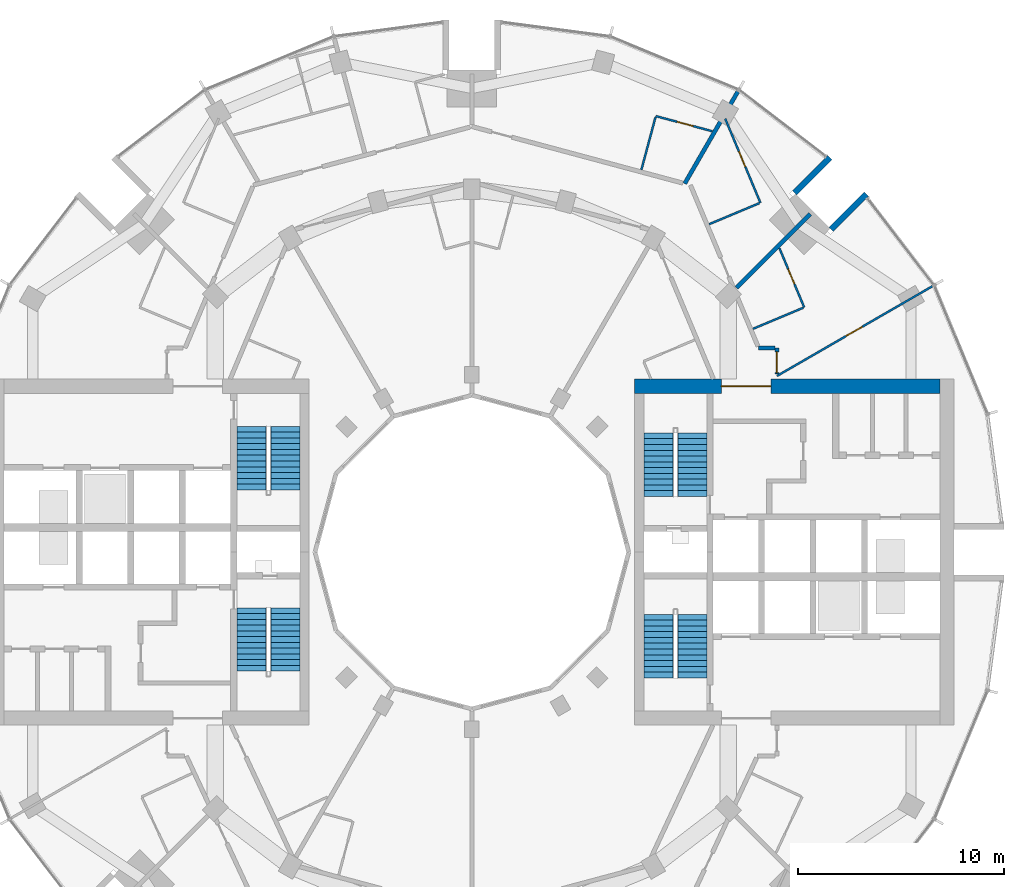
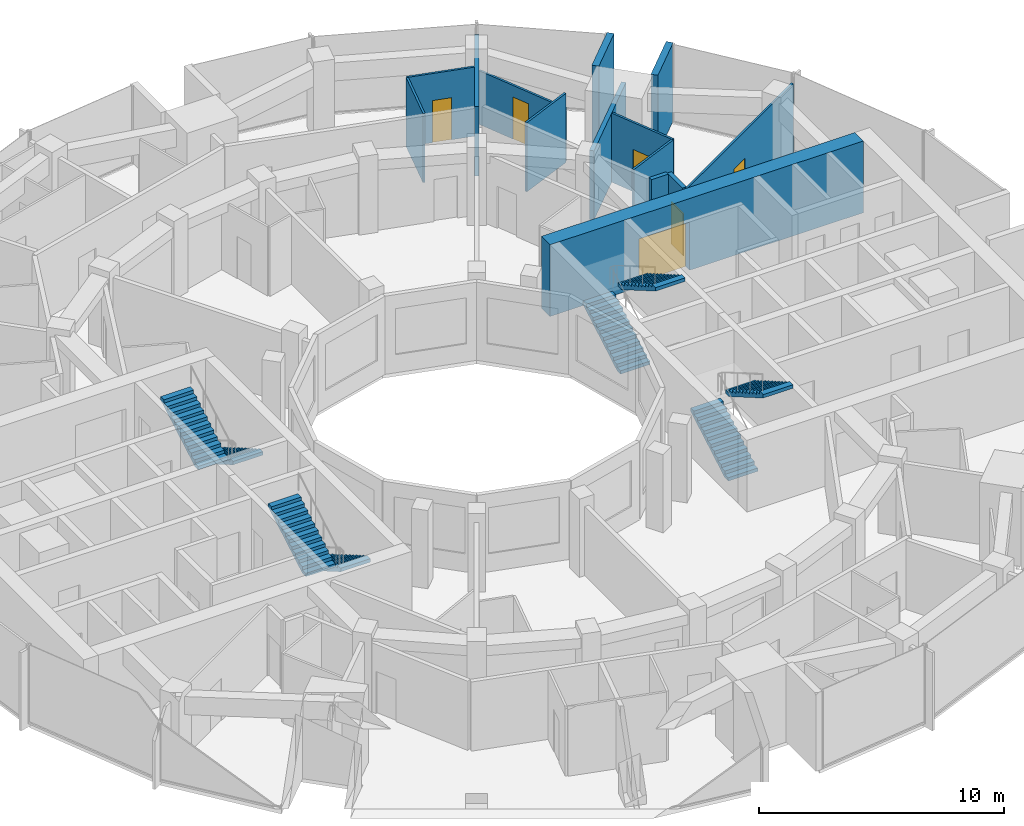
# One storey, part 13 of 15: 14 walls, 8 stair flights, 6 doors, 6 openings, 4 elements without a shape of their own.
"""IFC4 building model written with IfcOpenShell, lengths in metres."""

import ifcopenshell
import ifcopenshell.guid

model = None  # the IFC model being written
_history = None  # IfcOwnerHistory: only IFC2X3 demands one
_inside = {}  # id of a spatial element -> (the spatial element, [elements in it])
_under = {}  # id of a project, library or spatial element -> (it, [spatial elements below it])
_declared = {}  # id of a project -> (the project, [libraries it declares])
_typed = {}  # id of a type object -> (the type object, [elements of that type])
_made_of = {}  # id of a material, layer set ... -> (it, [elements and type objects made of it])


def new_model(schema):
    """Start an empty IFC model of exactly this schema.

    Asked for "IFC4X3", IfcOpenShell would pick the latest addendum, in which some entities
    have other attributes; the version numbers below select the first issue.
    IFC2X3 requires an IfcOwnerHistory on every rooted entity: one is made here for all.
    """
    global model, _history
    if schema == "IFC4X3":
        model = ifcopenshell.file(schema_version=(4, 3, 0, 0))
    else:
        model = ifcopenshell.file(schema=schema)
    _inside.clear()
    _under.clear()
    _declared.clear()
    _typed.clear()
    _made_of.clear()
    _history = None
    if model.schema == "IFC2X3":
        org = make("IfcOrganization", Name="unknown")
        user = make(
            "IfcPersonAndOrganization",
            ThePerson=make("IfcPerson", FamilyName="unknown"),
            TheOrganization=org,
        )
        app = make(
            "IfcApplication",
            ApplicationDeveloper=org,
            Version="unknown",
            ApplicationFullName="unknown",
            ApplicationIdentifier="unknown",
        )
        _history = make(
            "IfcOwnerHistory",
            OwningUser=user,
            OwningApplication=app,
            ChangeAction="ADDED",
            CreationDate=0,
        )
    return model


def make(cls, **values):
    """One entity of the class cls with the attributes given. An attribute that is None is left unset."""
    return model.create_entity(
        cls, **{name: value for name, value in values.items() if value is not None}
    )


def rooted(cls, **values):
    """An entity with a GlobalId (a new one), such as an element, a storey or a relation."""
    return make(cls, GlobalId=ifcopenshell.guid.new(), OwnerHistory=_history, **values)


def si_unit(unit_type, name, prefix=None):
    """IfcSIUnit, for example si_unit("LENGTHUNIT", "METRE", prefix="MILLI")."""
    return make("IfcSIUnit", UnitType=unit_type, Prefix=prefix, Name=name)


def assignment(units):
    """IfcUnitAssignment: the units of a project."""
    return None if units is None else make("IfcUnitAssignment", Units=units)


def point(xyz):
    """IfcCartesianPoint."""
    return None if xyz is None else make("IfcCartesianPoint", Coordinates=xyz)


def direction(xyz):
    """IfcDirection."""
    return None if xyz is None else make("IfcDirection", DirectionRatios=xyz)


def frame(location, z_axis=None, x_axis=None):
    """IfcAxis2Placement3D, a coordinate frame: its origin and axes. An axis left out is left unset."""
    return make(
        "IfcAxis2Placement3D",
        Location=point(location),
        Axis=direction(z_axis),
        RefDirection=direction(x_axis),
    )


def frame_2d(location, x_axis=None):
    """IfcAxis2Placement2D, a coordinate frame in the plane: its origin and x axis."""
    return make(
        "IfcAxis2Placement2D", Location=point(location), RefDirection=direction(x_axis)
    )


def origin():
    """The frame at (0, 0, 0) with its axes left unset."""
    return frame((0.0, 0.0, 0.0))


def place(relative_to, where):
    """IfcLocalPlacement: puts the frame where relative to a parent placement (None: the world)."""
    return make(
        "IfcLocalPlacement", PlacementRelTo=relative_to, RelativePlacement=where
    )


def context(
    kind, dimensions, precision=None, world=None, true_north=None, identifier=None
):
    """IfcGeometricRepresentationContext, for example the 3D "Model" context."""
    return make(
        "IfcGeometricRepresentationContext",
        ContextIdentifier=identifier,
        ContextType=kind,
        CoordinateSpaceDimension=dimensions,
        Precision=precision,
        WorldCoordinateSystem=world,
        TrueNorth=true_north,
    )


def subcontext(parent, identifier, kind, view, scale=None):
    """IfcGeometricRepresentationSubContext, for example "Body" below "Model"."""
    return make(
        "IfcGeometricRepresentationSubContext",
        ContextIdentifier=identifier,
        ContextType=kind,
        ParentContext=parent,
        TargetScale=scale,
        TargetView=view,
    )


def project(units=None, contexts=None):
    """IfcProject with its units and contexts."""
    return rooted(
        "IfcProject",
        Name="project",
        RepresentationContexts=contexts,
        UnitsInContext=assignment(units),
    )


def spatial(cls, under=None, at=None, **own):
    """A site, building, storey or space (cls), placed at a placement, below another one or the project."""
    s = rooted(cls, ObjectPlacement=at, **own)
    if under is not None:
        _under.setdefault(under.id(), (under, []))[1].append(s)
    return s


def polyline(points):
    """IfcPolyline through the points."""
    return make("IfcPolyline", Points=[point(p) for p in points])


def profile(cls, at=None, kind="AREA", **sizes):
    """A parametric profile (cls). Its sizes go by their IFC names, for example OverallWidth=200.0."""
    return make(cls, ProfileType=kind, Position=at, **sizes)


def rectangle(**sizes):
    """IfcRectangleProfileDef."""
    return profile("IfcRectangleProfileDef", **sizes)


def outline(outer, holes=None, kind="AREA"):
    """IfcArbitraryClosedProfileDef: a profile drawn as a closed curve; with holes, ...WithVoids."""
    if holes is None:
        return make("IfcArbitraryClosedProfileDef", ProfileType=kind, OuterCurve=outer)
    return make(
        "IfcArbitraryProfileDefWithVoids",
        ProfileType=kind,
        OuterCurve=outer,
        InnerCurves=holes,
    )


def extrude(swept, where, along, depth):
    """IfcExtrudedAreaSolid: the profile swept, set in the frame where, extruded along a direction by depth."""
    return make(
        "IfcExtrudedAreaSolid",
        SweptArea=swept,
        Position=where,
        ExtrudedDirection=direction(along),
        Depth=depth,
    )


def shape(context_of_items, identifier, shape_type, items):
    """IfcShapeRepresentation: the items that make up one representation, for example the "Body"."""
    return make(
        "IfcShapeRepresentation",
        ContextOfItems=context_of_items,
        RepresentationIdentifier=identifier,
        RepresentationType=shape_type,
        Items=items,
    )


def material(Name=None, Category=None):
    """IfcMaterial."""
    return make("IfcMaterial", Name=Name, Category=Category)


def layer(
    of_material, thickness, ventilated=None, Name=None, Category=None, Priority=None
):
    """IfcMaterialLayer: one layer of a wall or slab, of a material (None: an air gap)."""
    return make(
        "IfcMaterialLayer",
        Material=of_material,
        LayerThickness=thickness,
        IsVentilated=ventilated,
        Name=Name,
        Category=Category,
        Priority=Priority,
    )


def layer_set(layers, Name=None):
    """IfcMaterialLayerSet."""
    return make("IfcMaterialLayerSet", MaterialLayers=layers, LayerSetName=Name)


def made_of(thing, what):
    """Note that an element or type object is made of a material, layer set ...; save() writes the relation."""
    if what is not None:
        _made_of.setdefault(what.id(), (what, []))[1].append(thing)
    return thing


def type_object(cls, material=None, **own):
    """A type object (cls), such as IfcWallType, which elements share."""
    return made_of(rooted(cls, **own), material)


def element(
    cls,
    number,
    at=None,
    inside=None,
    cuts=None,
    type_object=None,
    material=None,
    context=None,
    identifier="Body",
    shape_type=None,
    held_by="IfcProductDefinitionShape",
    body=None,
    shapes=None,
    **own,
):
    """One element of the class cls, such as IfcWall. Its Tag is "e" and its number.

    at: its placement. inside: the storey or other place that contains it. cuts: it is an
    opening in that element (IfcRelVoidsElement). A single representation is given by context,
    identifier, shape_type and body (its items); several are given by shapes. held_by: the class
    of the entity that holds the representations. save() writes the other relations.
    """
    e = rooted(cls, Tag="e%d" % number, ObjectPlacement=at, **own)
    if body is not None:
        shapes = [shape(context, identifier, shape_type, body)]
    if shapes is not None:
        e.Representation = make(held_by, Representations=shapes)
    if inside is not None:
        _inside.setdefault(inside.id(), (inside, []))[1].append(e)
    if cuts is not None:
        rooted(
            "IfcRelVoidsElement", RelatingBuildingElement=cuts, RelatedOpeningElement=e
        )
    if type_object is not None:
        _typed.setdefault(type_object.id(), (type_object, []))[1].append(e)
    return made_of(e, material)


def fill(opening, filler):
    """IfcRelFillsElement: the door or window that sits in an opening."""
    return rooted(
        "IfcRelFillsElement",
        RelatingOpeningElement=opening,
        RelatedBuildingElement=filler,
    )


def aggregate(whole, parts):
    """IfcRelAggregates: a whole, such as a stair, and the parts it consists of."""
    return rooted("IfcRelAggregates", RelatingObject=whole, RelatedObjects=parts)


def save(model, path):
    """Write the relations noted so far, then the file.

    IfcRelAggregates (storeys below a building ...), IfcRelContainedInSpatialStructure (elements
    in a storey), IfcRelDefinesByType, IfcRelAssociatesMaterial and IfcRelDeclares: one each for
    every whole, place, type object, material and project.
    """
    for whole, parts in _under.values():
        aggregate(whole, parts)
    for where, things in _inside.values():
        rooted(
            "IfcRelContainedInSpatialStructure",
            RelatedElements=things,
            RelatingStructure=where,
        )
    for kind, things in _typed.values():
        rooted("IfcRelDefinesByType", RelatedObjects=things, RelatingType=kind)
    for what, things in _made_of.values():
        rooted("IfcRelAssociatesMaterial", RelatedObjects=things, RelatingMaterial=what)
    for by, libraries in _declared.values():
        rooted("IfcRelDeclares", RelatingContext=by, RelatedDefinitions=libraries)
    model.write(path)


model = new_model("IFC4")

# Units and contexts
model_context = context("Model", 3, precision=1e-05, world=origin(), true_north=direction((0.0, 1.0)))
body_context = subcontext(model_context, "Body", "Model", "MODEL_VIEW")
ifc_project = project(units=[si_unit("LENGTHUNIT", "METRE"), si_unit("AREAUNIT", "SQUARE_METRE"), si_unit("VOLUMEUNIT", "CUBIC_METRE"), si_unit("PLANEANGLEUNIT", "RADIAN"), si_unit("MASSUNIT", "GRAM", prefix="KILO")], contexts=[model_context])

# Site, building, storey
site_placement = place(None, origin())
site = spatial("IfcSite", under=ifc_project, at=site_placement, CompositionType="ELEMENT")
building_placement = place(site_placement, origin())
building = spatial("IfcBuilding", under=site, at=building_placement, Name="Torre Brocal", CompositionType="ELEMENT")
storey_placement = place(building_placement, frame((0.0, 0.0, 130.199951171875)))
storey = spatial("IfcBuildingStorey", under=building, at=storey_placement, Name="L30", CompositionType="ELEMENT", Elevation=130.199951171875)

# Wall, opening, door
ifc_material_1 = material(Name="Concrete C70", Category="concrete")
ifc_layer_1 = layer(ifc_material_1, 0.699951171875)
ifc_layer_set_1 = layer_set([ifc_layer_1], Name="Concrete C70")
wall_type_1 = type_object("IfcWallType", Name="CORE WALL 700 C70", PredefinedType="SHEAR", material=ifc_layer_set_1)
wall_1_placement = place(storey_placement, frame((87.89990234375, 83.050048828125, 0.0), z_axis=(0.0, 0.0, 1.0), x_axis=(1.0, 0.0, 0.0)))
wall_1 = element("IfcWall", 1, at=wall_1_placement, inside=storey, type_object=wall_type_1, Name="Wall CW700-70", PredefinedType="SHEAR", context=body_context, shape_type="SweptSolid", body=[
    extrude(rectangle(XDim=14.800048828125, YDim=0.699951171875, at=frame_2d((7.39990234375, 0.0))), origin(), (0.0, 0.0, 1.0), 3.580078125),
])
opening_1_placement = place(wall_1_placement, frame((4.199951171875, 0.0, 0.0)))
opening_1 = element("IfcOpeningElement", 2, at=opening_1_placement, cuts=wall_1, Name="Opening E-D27", PredefinedType="OPENING", context=body_context, shape_type="SweptSolid", body=[
    extrude(rectangle(XDim=2.39990234375, YDim=2.39990234375, at=frame_2d((1.199951171875, 1.199951171875))), frame((0.0, 0.35986328125, 0.0), z_axis=(0.0, -1.0, 0.0), x_axis=(1.0, 0.0, 0.0)), (0.0, 0.0, 1.0), 0.719970703125),
])
ifc_material_2 = material(Name="Steel A653", Category="steel")
door_type_1 = type_object("IfcDoorType", Name="DOUBLE FIRE DOOR FD90 2400X2400", OperationType="DOUBLE_DOOR_SINGLE_SWING", PredefinedType="DOOR", material=ifc_material_2)
door_1_placement = place(opening_1_placement, frame((2.39990234375, 0.0, 0.0), z_axis=(0.0, 0.0, 1.0), x_axis=(-1.0, 0.0, 0.0)))
door_1 = element("IfcDoor", 3, at=door_1_placement, inside=storey, type_object=door_type_1, Name="Door E-D27", OperationType="DOUBLE_DOOR_SINGLE_SWING", OverallHeight=2.39990234375, OverallWidth=2.39990234375, PredefinedType="DOOR", context=body_context, shape_type="SweptSolid", body=[
    extrude(rectangle(XDim=2.39990234375, YDim=2.39990234375, at=frame_2d((1.199951171875, 1.199951171875))), frame((0.0, 0.02490234375, 0.0), z_axis=(0.0, -1.0, 0.0), x_axis=(1.0, 0.0, 0.0)), (0.0, 0.0, 1.0), 0.050048828125),
])
fill(opening_1, door_1)

# Walls
ifc_material_3 = material(Name="Concrete C70", Category="concrete")
ifc_layer_2 = layer(ifc_material_3, 0.300048828125)
ifc_layer_set_2 = layer_set([ifc_layer_2], Name="Concrete C70")
wall_type_2 = type_object("IfcWallType", Name="NOTCH RETURN WALL 300 C70", PredefinedType="NOTDEFINED", material=ifc_layer_set_2)
for number, where, z_axis, x_axis, name in (
    (4, (97.43017578125, 90.662353515625, 0.0), (0.0, 0.0, 1.0), (0.707106781187, 0.707106781187, 0.0), "NOTCH RETURN WALL"),
    (5, (95.662353515625, 92.43017578125, 0.0), (0.0, 0.0, 1.0), (0.707106781187, 0.707106781187, 0.0), "NOTCH RETURN WALL"),
):
    element("IfcWall", number, at=place(storey_placement, frame(where, z_axis=z_axis, x_axis=x_axis)), inside=storey, type_object=wall_type_2, Name=name, PredefinedType="NOTDEFINED", context=body_context, shape_type="SweptSolid", body=[
        extrude(rectangle(XDim=2.415771484375, YDim=0.300048828125, at=frame_2d((1.2080078125, 0.0))), origin(), (0.0, 0.0, 1.0), 3.900146484375),
    ])
ifc_material_4 = material(Name="Gypsum board", Category="Gypsum")
ifc_layer_3 = layer(ifc_material_4, 0.10009765625)
ifc_layer_set_3 = layer_set([ifc_layer_3], Name="Gypsum board")
wall_type_3 = type_object("IfcWallType", Name="PARTITION 100", PredefinedType="PARTITIONING", material=ifc_layer_set_3)
wall_2_placement = place(storey_placement, frame((88.222900390625, 93.546630859375, 0.0), z_axis=(0.0, 0.0, 1.0), x_axis=(0.259021640683, 0.965871518194, 0.0)))
element("IfcWall", 6, at=wall_2_placement, inside=storey, type_object=wall_type_3, Name="BATHROOM WALL", PredefinedType="PARTITIONING", context=body_context, shape_type="SweptSolid", body=[
    extrude(rectangle(XDim=2.6494140625, YDim=0.10009765625, at=frame_2d((1.32470703125, 0.0))), origin(), (0.0, 0.0, 1.0), 3.449951171875),
])

# Wall, opening, door
wall_3_placement = place(storey_placement, frame((88.922119140625, 96.154052734375, 0.0), z_axis=(0.0, 0.0, 1.0), x_axis=(0.965887418767, -0.258962341408, 0.0)))
wall_3 = element("IfcWall", 7, at=wall_3_placement, inside=storey, type_object=wall_type_3, Name="BATHROOM WALL", PredefinedType="PARTITIONING", context=body_context, shape_type="SweptSolid", body=[
    extrude(rectangle(XDim=2.840576171875, YDim=0.10009765625, at=frame_2d((1.42041015625, 0.0))), origin(), (0.0, 0.0, 1.0), 3.449951171875),
])
opening_2_placement = place(wall_3_placement, frame((1.0751953125, 0.0, 0.0)))
opening_2 = element("IfcOpeningElement", 8, at=opening_2_placement, cuts=wall_3, Name="Opening E02-D07", PredefinedType="OPENING", context=body_context, shape_type="SweptSolid", body=[
    extrude(rectangle(XDim=0.800048828125, YDim=2.10009765625, at=frame_2d((0.39990234375, 1.050048828125))), frame((0.0, 0.06005859375, 0.0), z_axis=(0.0, -1.0, 0.0), x_axis=(1.0, 0.0, 0.0)), (0.0, 0.0, 1.0), 0.1201171875),
])
ifc_material_5 = material(Name="Timber", Category="wood")
door_type_2 = type_object("IfcDoorType", Name="BATHROOM DOOR 800X2100", OperationType="SINGLE_SWING_LEFT", PredefinedType="DOOR", material=ifc_material_5)
door_2_placement = place(opening_2_placement, frame((0.800048828125, 0.0, 0.0), z_axis=(0.0, 0.0, 1.0), x_axis=(-1.0, 0.0, 0.0)))
door_2 = element("IfcDoor", 9, at=door_2_placement, inside=storey, type_object=door_type_2, Name="E02-D07", OperationType="SINGLE_SWING_LEFT", OverallHeight=2.10009765625, OverallWidth=0.800048828125, PredefinedType="DOOR", context=body_context, shape_type="SweptSolid", body=[
    extrude(rectangle(XDim=0.800048828125, YDim=2.10009765625, at=frame_2d((0.39990234375, 1.050048828125))), frame((0.0, 0.02490234375, 0.0), z_axis=(0.0, -1.0, 0.0), x_axis=(1.0, 0.0, 0.0)), (0.0, 0.0, 1.0), 0.050048828125),
])
fill(opening_2, door_2)

# Walls
for number, where, z_axis, x_axis, name in (
    (10, (91.506591796875, 90.90673828125, 0.0), (0.0, 0.0, 1.0), (0.922344808264, 0.38636777126, 0.0), "BATHROOM WALL"),
    (11, (93.632568359375, 85.830810546875, 0.0), (0.0, 0.0, 1.0), (0.922344808264, 0.38636777126, 0.0), "BATHROOM WALL"),
):
    element("IfcWall", number, at=place(storey_placement, frame(where, z_axis=z_axis, x_axis=x_axis)), inside=storey, type_object=wall_type_3, Name=name, PredefinedType="PARTITIONING", context=body_context, shape_type="SweptSolid", body=[
        extrude(rectangle(XDim=2.650146484375, YDim=0.10009765625, at=frame_2d((1.3251953125, 0.0))), origin(), (0.0, 0.0, 1.0), 3.449951171875),
    ])

# Wall, opening, door
wall_4_placement = place(storey_placement, frame((94.800048828125, 83.544921875, 0.0), z_axis=(0.0, 0.0, 1.0), x_axis=(0.86602264145, 0.500004784474, 0.0)))
wall_4 = element("IfcWall", 12, at=wall_4_placement, inside=storey, type_object=wall_type_3, Name="ROOM PARTITION", PredefinedType="PARTITIONING", context=body_context, shape_type="SweptSolid", body=[
    extrude(rectangle(XDim=8.7080078125, YDim=0.10009765625, at=frame_2d((4.35400390625, 0.0))), origin(), (0.0, 0.0, 1.0), 3.449951171875),
])
opening_3_placement = place(wall_4_placement, frame((3.87890625, 0.0, 0.0)))
opening_3 = element("IfcOpeningElement", 13, at=opening_3_placement, cuts=wall_4, Name="Opening E02-D03", PredefinedType="OPENING", context=body_context, shape_type="SweptSolid", body=[
    extrude(rectangle(XDim=0.89990234375, YDim=2.10009765625, at=frame_2d((0.449951171875, 1.050048828125))), frame((0.0, 0.06005859375, 0.0), z_axis=(0.0, -1.0, 0.0), x_axis=(1.0, 0.0, 0.0)), (0.0, 0.0, 1.0), 0.1201171875),
])
ifc_material_6 = material(Name="Timber", Category="wood")
door_type_3 = type_object("IfcDoorType", Name="ROOM DOOR 900X2100", OperationType="SINGLE_SWING_LEFT", PredefinedType="DOOR", material=ifc_material_6)
door_3_placement = place(opening_3_placement, frame((0.89990234375, 0.0, 0.0), z_axis=(0.0, 0.0, 1.0), x_axis=(-1.0, 0.0, 0.0)))
door_3 = element("IfcDoor", 14, at=door_3_placement, inside=storey, type_object=door_type_3, Name="E02-D03", OperationType="SINGLE_SWING_RIGHT", OverallHeight=2.10009765625, OverallWidth=0.89990234375, PredefinedType="DOOR", context=body_context, shape_type="SweptSolid", body=[
    extrude(rectangle(XDim=0.89990234375, YDim=2.10009765625, at=frame_2d((0.449951171875, 1.050048828125))), frame((0.0, 0.02490234375, 0.0), z_axis=(0.0, -1.0, 0.0), x_axis=(1.0, 0.0, 0.0)), (0.0, 0.0, 1.0), 0.050048828125),
])
fill(opening_3, door_3)

wall_5_placement = place(storey_placement, frame((94.919189453125, 89.748046875, 0.0), z_axis=(0.0, 0.0, 1.0), x_axis=(0.386255913529, -0.922391657196, 0.0)))
wall_5 = element("IfcWall", 15, at=wall_5_placement, inside=storey, type_object=wall_type_3, Name="BATHROOM WALL", PredefinedType="PARTITIONING", context=body_context, shape_type="SweptSolid", body=[
    extrude(rectangle(XDim=3.1162109375, YDim=0.10009765625, at=frame_2d((1.55810546875, 0.0))), origin(), (0.0, 0.0, 1.0), 3.449951171875),
])
opening_4_placement = place(wall_5_placement, frame((1.093017578125, 0.0, 0.0)))
opening_4 = element("IfcOpeningElement", 16, at=opening_4_placement, cuts=wall_5, Name="Opening E02-D02", PredefinedType="OPENING", context=body_context, shape_type="SweptSolid", body=[
    extrude(rectangle(XDim=0.800048828125, YDim=2.10009765625, at=frame_2d((0.39990234375, 1.050048828125))), frame((0.0, 0.06005859375, 0.0), z_axis=(0.0, -1.0, 0.0), x_axis=(1.0, 0.0, 0.0)), (0.0, 0.0, 1.0), 0.1201171875),
])
door_4_placement = place(opening_4_placement, frame((0.800048828125, 0.0, 0.0), z_axis=(0.0, 0.0, 1.0), x_axis=(-1.0, 0.0, 0.0)))
door_4 = element("IfcDoor", 17, at=door_4_placement, inside=storey, type_object=door_type_2, Name="E02-D02", OperationType="SINGLE_SWING_RIGHT", OverallHeight=2.10009765625, OverallWidth=0.800048828125, PredefinedType="DOOR", context=body_context, shape_type="SweptSolid", body=[
    extrude(rectangle(XDim=0.800048828125, YDim=2.10009765625, at=frame_2d((0.39990234375, 1.050048828125))), frame((0.0, 0.02490234375, 0.0), z_axis=(0.0, -1.0, 0.0), x_axis=(1.0, 0.0, 0.0)), (0.0, 0.0, 1.0), 0.050048828125),
])
fill(opening_4, door_4)

ifc_material_7 = material(Name="Gypsum board", Category="Gypsum")
ifc_layer_4 = layer(ifc_material_7, 0.10009765625)
ifc_layer_set_4 = layer_set([ifc_layer_4], Name="Gypsum board")
wall_type_4 = type_object("IfcWallType", Name="PARTITION 100 UNDER BEAM 1220", PredefinedType="PARTITIONING", material=ifc_layer_set_4)
wall_6_placement = place(storey_placement, frame((92.288818359375, 96.029541015625, 0.0), z_axis=(0.0, 0.0, 1.0), x_axis=(0.386237487323, -0.922399373041, 0.0)))
wall_6 = element("IfcWall", 18, at=wall_6_placement, inside=storey, type_object=wall_type_4, Name="BATHROOM WALL", PredefinedType="PARTITIONING", context=body_context, shape_type="SweptSolid", body=[
    extrude(rectangle(XDim=4.4228515625, YDim=0.10009765625, at=frame_2d((2.21142578125, 0.0))), origin(), (0.0, 0.0, 1.0), 2.679931640625),
])
opening_5_placement = place(wall_6_placement, frame((1.731201171875, 0.0, 0.0)))
opening_5 = element("IfcOpeningElement", 19, at=opening_5_placement, cuts=wall_6, Name="Opening E02-D05", PredefinedType="OPENING", context=body_context, shape_type="SweptSolid", body=[
    extrude(rectangle(XDim=0.800048828125, YDim=2.10009765625, at=frame_2d((0.39990234375, 1.050048828125))), frame((0.0, 0.06005859375, 0.0), z_axis=(0.0, -1.0, 0.0), x_axis=(1.0, 0.0, 0.0)), (0.0, 0.0, 1.0), 0.1201171875),
])
door_5_placement = place(opening_5_placement, frame((0.800048828125, 0.0, 0.0), z_axis=(0.0, 0.0, 1.0), x_axis=(-1.0, 0.0, 0.0)))
door_5 = element("IfcDoor", 20, at=door_5_placement, inside=storey, type_object=door_type_2, Name="E02-D05", OperationType="SINGLE_SWING_RIGHT", OverallHeight=2.10009765625, OverallWidth=0.800048828125, PredefinedType="DOOR", context=body_context, shape_type="SweptSolid", body=[
    extrude(rectangle(XDim=0.800048828125, YDim=2.10009765625, at=frame_2d((0.39990234375, 1.050048828125))), frame((0.0, 0.02490234375, 0.0), z_axis=(0.0, -1.0, 0.0), x_axis=(1.0, 0.0, 0.0)), (0.0, 0.0, 1.0), 0.050048828125),
])
fill(opening_5, door_5)

# Walls
ifc_material_8 = material(Name="Gypsum board", Category="Gypsum")
ifc_layer_5 = layer(ifc_material_8, 0.199951171875)
ifc_layer_set_5 = layer_set([ifc_layer_5], Name="Gypsum board")
wall_type_5 = type_object("IfcWallType", Name="PARTITION 200 EI60", PredefinedType="PARTITIONING", material=ifc_layer_set_5)
wall_7_placement = place(storey_placement, frame((90.325439453125, 92.8798828125, 0.0), z_axis=(0.0, 0.0, 1.0), x_axis=(0.500084891114, 0.865976386329, 0.0)))
element("IfcWall", 21, at=wall_7_placement, inside=storey, type_object=wall_type_5, Name="BATHROOM WALL", PredefinedType="PARTITIONING", context=body_context, shape_type="SweptSolid", body=[
    extrude(rectangle(XDim=5.150390625, YDim=0.199951171875, at=frame_2d((2.5751953125, 0.0))), origin(), (0.0, 0.0, 1.0), 3.449951171875),
])
wall_8_placement = place(storey_placement, frame((92.83154296875, 87.82470703125, 0.0), z_axis=(0.0, 0.0, 1.0), x_axis=(0.707275688599, 0.706937833418, 0.0)))
element("IfcWall", 22, at=wall_8_placement, inside=storey, type_object=wall_type_5, Name="BATHROOM WALL", PredefinedType="PARTITIONING", context=body_context, shape_type="SweptSolid", body=[
    extrude(rectangle(XDim=5.058349609375, YDim=0.199951171875, at=frame_2d((2.529296875, 0.0))), origin(), (0.0, 0.0, 1.0), 3.449951171875),
])
wall_9_placement = place(storey_placement, frame((93.9140625, 84.89990234375, 0.0), z_axis=(0.0, 0.0, 1.0), x_axis=(1.0, 0.0, 0.0)))
element("IfcWall", 23, at=wall_9_placement, inside=storey, type_object=wall_type_5, Name="GUESTROOM CORRIDOR WALL", PredefinedType="PARTITIONING", context=body_context, shape_type="SweptSolid", body=[
    extrude(rectangle(XDim=0.785888671875, YDim=0.199951171875, at=frame_2d((0.39306640625, 0.0))), origin(), (0.0, 0.0, 1.0), 3.449951171875),
])

# Wall, opening, door
wall_10_placement = place(storey_placement, frame((94.800048828125, 83.64990234375, 0.0), z_axis=(0.0, 0.0, 1.0), x_axis=(0.0, 1.0, 0.0)))
wall_10 = element("IfcWall", 24, at=wall_10_placement, inside=storey, type_object=wall_type_5, Name="GUESTROOM CORRIDOR WALL", PredefinedType="PARTITIONING", context=body_context, shape_type="SweptSolid", body=[
    extrude(rectangle(XDim=1.25, YDim=0.199951171875, at=frame_2d((0.625, 0.0))), origin(), (0.0, 0.0, 1.0), 3.449951171875),
])
opening_6_placement = place(wall_10_placement, frame((0.0625, 0.0, 0.0)))
opening_6 = element("IfcOpeningElement", 25, at=opening_6_placement, cuts=wall_10, Name="Opening E02-D01", PredefinedType="OPENING", context=body_context, shape_type="SweptSolid", body=[
    extrude(rectangle(XDim=1.0, YDim=2.10009765625, at=frame_2d((0.5, 1.050048828125))), frame((0.0, 0.10986328125, 0.0), z_axis=(0.0, -1.0, 0.0), x_axis=(1.0, 0.0, 0.0)), (0.0, 0.0, 1.0), 0.219970703125),
])
ifc_material_9 = material(Name="Timber", Category="wood")
door_type_4 = type_object("IfcDoorType", Name="FLAT ENTRY DOOR FD30S 1000X2100", OperationType="SINGLE_SWING_RIGHT", PredefinedType="DOOR", material=ifc_material_9)
door_6_placement = place(opening_6_placement, frame((1.0, 0.0, 0.0), z_axis=(0.0, 0.0, 1.0), x_axis=(-1.0, 0.0, 0.0)))
door_6 = element("IfcDoor", 26, at=door_6_placement, inside=storey, type_object=door_type_4, Name="E02-D01", OperationType="SINGLE_SWING_LEFT", OverallHeight=2.10009765625, OverallWidth=1.0, PredefinedType="DOOR", context=body_context, shape_type="SweptSolid", body=[
    extrude(rectangle(XDim=1.0, YDim=2.10009765625, at=frame_2d((0.5, 1.050048828125))), frame((0.0, 0.02490234375, 0.0), z_axis=(0.0, -1.0, 0.0), x_axis=(1.0, 0.0, 0.0)), (0.0, 0.0, 1.0), 0.050048828125),
])
fill(opening_6, door_6)

# Stair, stair flights
ifc_material_10 = material(Name="Concrete C50", Category="concrete")
stair_type = type_object("IfcStairType", Name="EXIT STAIR", PredefinedType="HALF_TURN_STAIR", material=ifc_material_10)
stair_1_placement = place(storey_placement, origin())
stair_1 = element("IfcStair", 27, at=stair_1_placement, inside=storey, type_object=stair_type, Name="EXIT STAIR ST1", PredefinedType="HALF_TURN_STAIR")
ifc_material_11 = material(Name="Concrete C50", Category="concrete")
ifc_layer_6 = layer(ifc_material_11, 0.14990234375)
ifc_layer_set_6 = layer_set([ifc_layer_6], Name="Concrete C50")
stair_flight_type = type_object("IfcStairFlightType", Name="STAIR FLIGHT", PredefinedType="STRAIGHT", material=ifc_layer_set_6)
stair_flight_1_placement = place(storey_placement, frame((89.050048828125, 77.699951171875, 0.0), z_axis=(0.0, 0.0, 1.0), x_axis=(0.0, 1.0, 0.0)))
stair_flight_1 = element("IfcStairFlight", 28, at=stair_flight_1_placement, type_object=stair_flight_type, Name="ST1 flight 1", NumberOfRisers=12, NumberOfTreads=11, PredefinedType="STRAIGHT", RiserHeight=0.1625, TreadLength=0.28, context=body_context, shape_type="SweptSolid", body=[
    extrude(outline(polyline([(0.0, 0.0), (0.0, 0.16259765625), (0.280029296875, 0.16259765625), (0.280029296875, 0.324951171875), (0.56005859375, 0.324951171875), (0.56005859375, 0.487548828125), (0.840087890625, 0.487548828125), (0.840087890625, 0.64990234375), (1.1201171875, 0.64990234375), (1.1201171875, 0.8125), (1.39990234375, 0.8125), (1.39990234375, 0.97509765625), (1.679931640625, 0.97509765625), (1.679931640625, 1.137451171875), (1.9599609375, 1.137451171875), (1.9599609375, 1.300048828125), (2.239990234375, 1.300048828125), (2.239990234375, 1.46240234375), (2.52001953125, 1.46240234375), (2.52001953125, 1.625), (2.800048828125, 1.625), (2.800048828125, 1.78759765625), (3.080078125, 1.78759765625), (3.080078125, 1.949951171875), (3.080078125, 1.6142578125), (0.298583984375, 0.0), (0.0, 0.0)])), frame((0.0, 0.699951171875, 0.0), z_axis=(0.0, -1.0, 0.0), x_axis=(1.0, 0.0, 0.0)), (0.0, 0.0, 1.0), 1.39990234375),
])
stair_flight_2_placement = place(storey_placement, frame((90.699951171875, 80.780029296875, 1.949951171875), z_axis=(0.0, 0.0, 1.0), x_axis=(0.0, -1.0, 0.0)))
stair_flight_2 = element("IfcStairFlight", 29, at=stair_flight_2_placement, type_object=stair_flight_type, Name="ST1 flight 2", NumberOfRisers=12, NumberOfTreads=11, PredefinedType="STRAIGHT", RiserHeight=0.1625, TreadLength=0.28, context=body_context, shape_type="SweptSolid", body=[
    extrude(outline(polyline([(0.0, 0.0), (0.0, 0.16259765625), (0.280029296875, 0.16259765625), (0.280029296875, 0.324951171875), (0.56005859375, 0.324951171875), (0.56005859375, 0.487548828125), (0.840087890625, 0.487548828125), (0.840087890625, 0.64990234375), (1.1201171875, 0.64990234375), (1.1201171875, 0.8125), (1.39990234375, 0.8125), (1.39990234375, 0.97509765625), (1.679931640625, 0.97509765625), (1.679931640625, 1.137451171875), (1.9599609375, 1.137451171875), (1.9599609375, 1.300048828125), (2.239990234375, 1.300048828125), (2.239990234375, 1.46240234375), (2.52001953125, 1.46240234375), (2.52001953125, 1.625), (2.800048828125, 1.625), (2.800048828125, 1.78759765625), (3.080078125, 1.78759765625), (3.080078125, 1.949951171875), (3.080078125, 1.6142578125), (0.298583984375, 0.0), (0.0, 0.0)])), frame((0.0, 0.699951171875, 0.0), z_axis=(0.0, -1.0, 0.0), x_axis=(1.0, 0.0, 0.0)), (0.0, 0.0, 1.0), 1.39990234375),
])
aggregate(stair_1, [stair_flight_1, stair_flight_2])

stair_2_placement = place(storey_placement, origin())
stair_2 = element("IfcStair", 30, at=stair_2_placement, inside=storey, type_object=stair_type, Name="EXIT STAIR ST2", PredefinedType="HALF_TURN_STAIR")
stair_flight_3_placement = place(storey_placement, frame((89.050048828125, 68.89990234375, 0.0), z_axis=(0.0, 0.0, 1.0), x_axis=(0.0, 1.0, 0.0)))
stair_flight_3 = element("IfcStairFlight", 31, at=stair_flight_3_placement, type_object=stair_flight_type, Name="ST2 flight 1", NumberOfRisers=12, NumberOfTreads=11, PredefinedType="STRAIGHT", RiserHeight=0.1625, TreadLength=0.28, context=body_context, shape_type="SweptSolid", body=[
    extrude(outline(polyline([(0.0, 0.0), (0.0, 0.16259765625), (0.280029296875, 0.16259765625), (0.280029296875, 0.324951171875), (0.56005859375, 0.324951171875), (0.56005859375, 0.487548828125), (0.840087890625, 0.487548828125), (0.840087890625, 0.64990234375), (1.1201171875, 0.64990234375), (1.1201171875, 0.8125), (1.39990234375, 0.8125), (1.39990234375, 0.97509765625), (1.679931640625, 0.97509765625), (1.679931640625, 1.137451171875), (1.9599609375, 1.137451171875), (1.9599609375, 1.300048828125), (2.239990234375, 1.300048828125), (2.239990234375, 1.46240234375), (2.52001953125, 1.46240234375), (2.52001953125, 1.625), (2.800048828125, 1.625), (2.800048828125, 1.78759765625), (3.080078125, 1.78759765625), (3.080078125, 1.949951171875), (3.080078125, 1.6142578125), (0.298583984375, 0.0), (0.0, 0.0)])), frame((0.0, 0.699951171875, 0.0), z_axis=(0.0, -1.0, 0.0), x_axis=(1.0, 0.0, 0.0)), (0.0, 0.0, 1.0), 1.39990234375),
])
stair_flight_4_placement = place(storey_placement, frame((90.699951171875, 71.97998046875, 1.949951171875), z_axis=(0.0, 0.0, 1.0), x_axis=(0.0, -1.0, 0.0)))
stair_flight_4 = element("IfcStairFlight", 32, at=stair_flight_4_placement, type_object=stair_flight_type, Name="ST2 flight 2", NumberOfRisers=12, NumberOfTreads=11, PredefinedType="STRAIGHT", RiserHeight=0.1625, TreadLength=0.28, context=body_context, shape_type="SweptSolid", body=[
    extrude(outline(polyline([(0.0, 0.0), (0.0, 0.16259765625), (0.280029296875, 0.16259765625), (0.280029296875, 0.324951171875), (0.56005859375, 0.324951171875), (0.56005859375, 0.487548828125), (0.840087890625, 0.487548828125), (0.840087890625, 0.64990234375), (1.1201171875, 0.64990234375), (1.1201171875, 0.8125), (1.39990234375, 0.8125), (1.39990234375, 0.97509765625), (1.679931640625, 0.97509765625), (1.679931640625, 1.137451171875), (1.9599609375, 1.137451171875), (1.9599609375, 1.300048828125), (2.239990234375, 1.300048828125), (2.239990234375, 1.46240234375), (2.52001953125, 1.46240234375), (2.52001953125, 1.625), (2.800048828125, 1.625), (2.800048828125, 1.78759765625), (3.080078125, 1.78759765625), (3.080078125, 1.949951171875), (3.080078125, 1.6142578125), (0.298583984375, 0.0), (0.0, 0.0)])), frame((0.0, 0.699951171875, 0.0), z_axis=(0.0, -1.0, 0.0), x_axis=(1.0, 0.0, 0.0)), (0.0, 0.0, 1.0), 1.39990234375),
])
aggregate(stair_2, [stair_flight_3, stair_flight_4])

stair_3_placement = place(storey_placement, origin())
stair_3 = element("IfcStair", 33, at=stair_3_placement, inside=storey, type_object=stair_type, Name="EXIT STAIR ST3", PredefinedType="HALF_TURN_STAIR")
stair_flight_5_placement = place(storey_placement, frame((70.949951171875, 72.300048828125, 0.0), z_axis=(0.0, 0.0, 1.0), x_axis=(0.0, -1.0, 0.0)))
stair_flight_5 = element("IfcStairFlight", 34, at=stair_flight_5_placement, type_object=stair_flight_type, Name="ST3 flight 1", NumberOfRisers=12, NumberOfTreads=11, PredefinedType="STRAIGHT", RiserHeight=0.1625, TreadLength=0.28, context=body_context, shape_type="SweptSolid", body=[
    extrude(outline(polyline([(0.0, 0.0), (0.0, 0.16259765625), (0.280029296875, 0.16259765625), (0.280029296875, 0.324951171875), (0.56005859375, 0.324951171875), (0.56005859375, 0.487548828125), (0.840087890625, 0.487548828125), (0.840087890625, 0.64990234375), (1.1201171875, 0.64990234375), (1.1201171875, 0.8125), (1.39990234375, 0.8125), (1.39990234375, 0.97509765625), (1.679931640625, 0.97509765625), (1.679931640625, 1.137451171875), (1.9599609375, 1.137451171875), (1.9599609375, 1.300048828125), (2.239990234375, 1.300048828125), (2.239990234375, 1.46240234375), (2.52001953125, 1.46240234375), (2.52001953125, 1.625), (2.800048828125, 1.625), (2.800048828125, 1.78759765625), (3.080078125, 1.78759765625), (3.080078125, 1.949951171875), (3.080078125, 1.6142578125), (0.298583984375, 0.0), (0.0, 0.0)])), frame((0.0, 0.699951171875, 0.0), z_axis=(0.0, -1.0, 0.0), x_axis=(1.0, 0.0, 0.0)), (0.0, 0.0, 1.0), 1.39990234375),
])
stair_flight_6_placement = place(storey_placement, frame((69.300048828125, 69.219970703125, 1.949951171875), z_axis=(0.0, 0.0, 1.0), x_axis=(0.0, 1.0, 0.0)))
stair_flight_6 = element("IfcStairFlight", 35, at=stair_flight_6_placement, type_object=stair_flight_type, Name="ST3 flight 2", NumberOfRisers=12, NumberOfTreads=11, PredefinedType="STRAIGHT", RiserHeight=0.1625, TreadLength=0.28, context=body_context, shape_type="SweptSolid", body=[
    extrude(outline(polyline([(0.0, 0.0), (0.0, 0.16259765625), (0.280029296875, 0.16259765625), (0.280029296875, 0.324951171875), (0.56005859375, 0.324951171875), (0.56005859375, 0.487548828125), (0.840087890625, 0.487548828125), (0.840087890625, 0.64990234375), (1.1201171875, 0.64990234375), (1.1201171875, 0.8125), (1.39990234375, 0.8125), (1.39990234375, 0.97509765625), (1.679931640625, 0.97509765625), (1.679931640625, 1.137451171875), (1.9599609375, 1.137451171875), (1.9599609375, 1.300048828125), (2.239990234375, 1.300048828125), (2.239990234375, 1.46240234375), (2.52001953125, 1.46240234375), (2.52001953125, 1.625), (2.800048828125, 1.625), (2.800048828125, 1.78759765625), (3.080078125, 1.78759765625), (3.080078125, 1.949951171875), (3.080078125, 1.6142578125), (0.298583984375, 0.0), (0.0, 0.0)])), frame((0.0, 0.699951171875, 0.0), z_axis=(0.0, -1.0, 0.0), x_axis=(1.0, 0.0, 0.0)), (0.0, 0.0, 1.0), 1.39990234375),
])
aggregate(stair_3, [stair_flight_5, stair_flight_6])

stair_4_placement = place(storey_placement, origin())
stair_4 = element("IfcStair", 36, at=stair_4_placement, inside=storey, type_object=stair_type, Name="EXIT STAIR ST4", PredefinedType="HALF_TURN_STAIR")
stair_flight_7_placement = place(storey_placement, frame((70.949951171875, 81.10009765625, 0.0), z_axis=(0.0, 0.0, 1.0), x_axis=(0.0, -1.0, 0.0)))
stair_flight_7 = element("IfcStairFlight", 37, at=stair_flight_7_placement, type_object=stair_flight_type, Name="ST4 flight 1", NumberOfRisers=12, NumberOfTreads=11, PredefinedType="STRAIGHT", RiserHeight=0.1625, TreadLength=0.28, context=body_context, shape_type="SweptSolid", body=[
    extrude(outline(polyline([(0.0, 0.0), (0.0, 0.16259765625), (0.280029296875, 0.16259765625), (0.280029296875, 0.324951171875), (0.56005859375, 0.324951171875), (0.56005859375, 0.487548828125), (0.840087890625, 0.487548828125), (0.840087890625, 0.64990234375), (1.1201171875, 0.64990234375), (1.1201171875, 0.8125), (1.39990234375, 0.8125), (1.39990234375, 0.97509765625), (1.679931640625, 0.97509765625), (1.679931640625, 1.137451171875), (1.9599609375, 1.137451171875), (1.9599609375, 1.300048828125), (2.239990234375, 1.300048828125), (2.239990234375, 1.46240234375), (2.52001953125, 1.46240234375), (2.52001953125, 1.625), (2.800048828125, 1.625), (2.800048828125, 1.78759765625), (3.080078125, 1.78759765625), (3.080078125, 1.949951171875), (3.080078125, 1.6142578125), (0.298583984375, 0.0), (0.0, 0.0)])), frame((0.0, 0.699951171875, 0.0), z_axis=(0.0, -1.0, 0.0), x_axis=(1.0, 0.0, 0.0)), (0.0, 0.0, 1.0), 1.39990234375),
])
stair_flight_8_placement = place(storey_placement, frame((69.300048828125, 78.02001953125, 1.949951171875), z_axis=(0.0, 0.0, 1.0), x_axis=(0.0, 1.0, 0.0)))
stair_flight_8 = element("IfcStairFlight", 38, at=stair_flight_8_placement, type_object=stair_flight_type, Name="ST4 flight 2", NumberOfRisers=12, NumberOfTreads=11, PredefinedType="STRAIGHT", RiserHeight=0.1625, TreadLength=0.28, context=body_context, shape_type="SweptSolid", body=[
    extrude(outline(polyline([(0.0, 0.0), (0.0, 0.16259765625), (0.280029296875, 0.16259765625), (0.280029296875, 0.324951171875), (0.56005859375, 0.324951171875), (0.56005859375, 0.487548828125), (0.840087890625, 0.487548828125), (0.840087890625, 0.64990234375), (1.1201171875, 0.64990234375), (1.1201171875, 0.8125), (1.39990234375, 0.8125), (1.39990234375, 0.97509765625), (1.679931640625, 0.97509765625), (1.679931640625, 1.137451171875), (1.9599609375, 1.137451171875), (1.9599609375, 1.300048828125), (2.239990234375, 1.300048828125), (2.239990234375, 1.46240234375), (2.52001953125, 1.46240234375), (2.52001953125, 1.625), (2.800048828125, 1.625), (2.800048828125, 1.78759765625), (3.080078125, 1.78759765625), (3.080078125, 1.949951171875), (3.080078125, 1.6142578125), (0.298583984375, 0.0), (0.0, 0.0)])), frame((0.0, 0.699951171875, 0.0), z_axis=(0.0, -1.0, 0.0), x_axis=(1.0, 0.0, 0.0)), (0.0, 0.0, 1.0), 1.39990234375),
])
aggregate(stair_4, [stair_flight_7, stair_flight_8])

save(model, "model.ifc")
